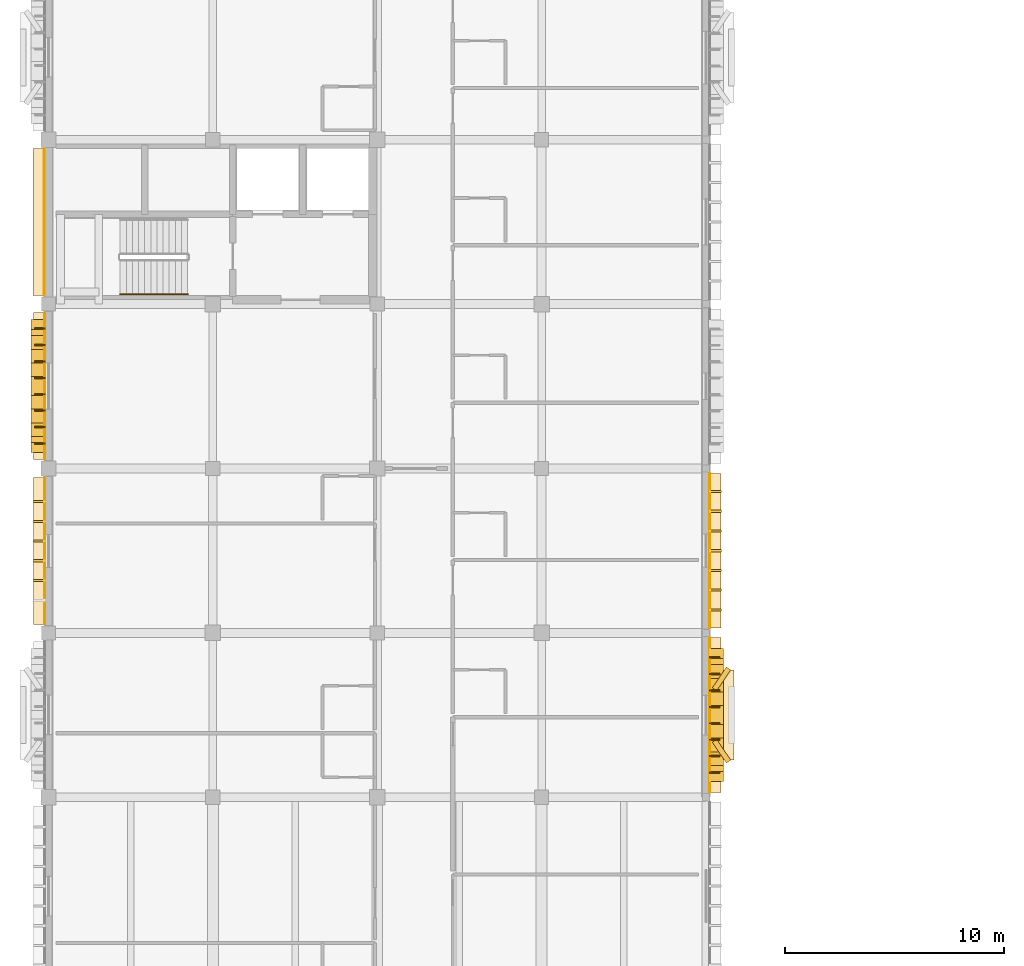
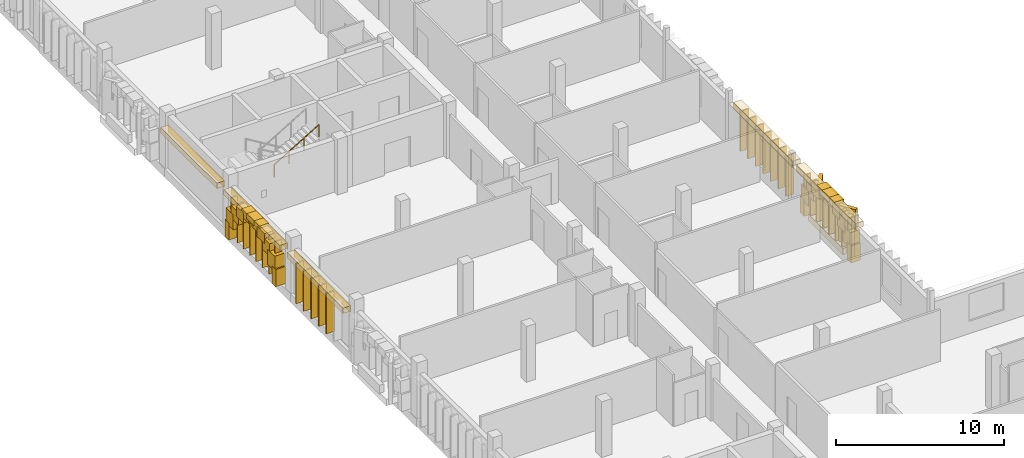
# One storey, part 34 of 48: 47 coverings, 16 shading devices, 1 railing.
"""IFC4 building model written with IfcOpenShell, lengths in metres."""

from ifc_helpers import new_model, si_unit, direction, frame, origin, origin_2d, place, context, subcontext, project, spatial, rectangle, circle, extrude, material, layer, layer_set, type_object, element, save


model = new_model("IFC4")

# Units and contexts
model_context = context("Model", 3, precision=1e-05, world=origin(), true_north=direction((0.0, 1.0)))
body_context = subcontext(model_context, "Body", "Model", "MODEL_VIEW")
ifc_project = project(units=[si_unit("LENGTHUNIT", "METRE"), si_unit("AREAUNIT", "SQUARE_METRE"), si_unit("VOLUMEUNIT", "CUBIC_METRE"), si_unit("PLANEANGLEUNIT", "RADIAN"), si_unit("MASSUNIT", "GRAM", prefix="KILO")], contexts=[model_context])

# Site, building, storey
site_placement = place(None, origin())
site = spatial("IfcSite", under=ifc_project, at=site_placement, CompositionType="ELEMENT")
building_placement = place(site_placement, origin())
building = spatial("IfcBuilding", under=site, at=building_placement, Name="Dalvernix Boulevard General Hospital", CompositionType="ELEMENT")
storey_placement = place(building_placement, frame((0.0, 0.0, 17.85009765625)))
storey = spatial("IfcBuildingStorey", under=building, at=storey_placement, Name="L04", CompositionType="ELEMENT", Elevation=17.85009765625)

# Coverings
ifc_material_1 = material(Name="Pressed Catalan clay brick and dressed limestone parabolic archivolt", Category="masonry")
ifc_layer_1 = layer(ifc_material_1, 0.419921875)
ifc_layer_set_1 = layer_set([ifc_layer_1], Name="Pressed Catalan clay brick and dressed limestone parabolic archivolt (COV-ARC-01)")
covering_type_1 = type_object("IfcCoveringType", Name="COV-ARC-01", PredefinedType="CLADDING", material=ifc_layer_set_1)
for number, where, z_axis, x_axis, name in (
    (1, (-0.4599609375, 47.46240234375, 0.0), (0.0, 0.0, 1.0), (0.0, 1.0, 0.0), "L04 Catalan parabolic arch impost pier W 0-6-L"),
    (2, (-0.4599609375, 53.0625, 0.0), (0.0, 0.0, 1.0), (0.0, 1.0, 0.0), "L04 Catalan parabolic arch impost pier W 0-6-R"),
):
    element("IfcCovering", number, at=place(storey_placement, frame(where, z_axis=z_axis, x_axis=x_axis)), inside=storey, type_object=covering_type_1, Name=name, PredefinedType="CLADDING", context=body_context, shape_type="SweptSolid", body=[
        extrude(rectangle(XDim=0.4599609375, YDim=0.659912109375, at=origin_2d()), origin(), (0.0, 0.0, 1.0), 1.25),
    ])
covering_1_placement = place(storey_placement, frame((-0.4599609375, 47.773681640625, 1.06005859375), z_axis=(0.0, 0.0, 1.0), x_axis=(0.0, 1.0, 0.0)))
element("IfcCovering", 3, at=covering_1_placement, inside=storey, type_object=covering_type_1, Name="L04 Catalan parabolic archivolt voussoir W 0-6-1", PredefinedType="CLADDING", context=body_context, shape_type="SweptSolid", body=[
    extrude(rectangle(XDim=0.8623046875, YDim=0.659912109375, at=origin_2d()), origin(), (0.0, 0.0, 1.0), 1.091064453125),
])
covering_2_placement = place(storey_placement, frame((-0.4599609375, 48.395751953125, 1.77099609375), z_axis=(0.0, 0.0, 1.0), x_axis=(0.0, 1.0, 0.0)))
element("IfcCovering", 4, at=covering_2_placement, inside=storey, type_object=covering_type_1, Name="L04 Catalan parabolic archivolt voussoir W 0-6-2", PredefinedType="CLADDING", context=body_context, shape_type="SweptSolid", body=[
    extrude(rectangle(XDim=0.8623046875, YDim=0.659912109375, at=origin_2d()), origin(), (0.0, 0.0, 1.0), 0.913330078125),
])
covering_3_placement = place(storey_placement, frame((-0.4599609375, 49.01806640625, 2.30419921875), z_axis=(0.0, 0.0, 1.0), x_axis=(0.0, 1.0, 0.0)))
element("IfcCovering", 5, at=covering_3_placement, inside=storey, type_object=covering_type_1, Name="L04 Catalan parabolic archivolt voussoir W 0-6-3", PredefinedType="CLADDING", context=body_context, shape_type="SweptSolid", body=[
    extrude(rectangle(XDim=0.8623046875, YDim=0.659912109375, at=origin_2d()), origin(), (0.0, 0.0, 1.0), 0.735595703125),
])
covering_4_placement = place(storey_placement, frame((-0.4599609375, 49.640380859375, 2.65966796875), z_axis=(0.0, 0.0, 1.0), x_axis=(0.0, 1.0, 0.0)))
element("IfcCovering", 6, at=covering_4_placement, inside=storey, type_object=covering_type_1, Name="L04 Catalan parabolic archivolt voussoir W 0-6-4", PredefinedType="CLADDING", context=body_context, shape_type="SweptSolid", body=[
    extrude(rectangle(XDim=0.8623046875, YDim=0.659912109375, at=origin_2d()), origin(), (0.0, 0.0, 1.0), 0.557861328125),
])
covering_5_placement = place(storey_placement, frame((-0.4599609375, 50.262451171875, 2.837646484375), z_axis=(0.0, 0.0, 1.0), x_axis=(0.0, 1.0, 0.0)))
element("IfcCovering", 7, at=covering_5_placement, inside=storey, type_object=covering_type_1, Name="L04 Catalan parabolic archivolt voussoir W 0-6-5", PredefinedType="CLADDING", context=body_context, shape_type="SweptSolid", body=[
    extrude(rectangle(XDim=0.8623046875, YDim=0.659912109375, at=origin_2d()), origin(), (0.0, 0.0, 1.0), 0.3798828125),
])
covering_6_placement = place(storey_placement, frame((-0.4599609375, 50.884765625, 2.65966796875), z_axis=(0.0, 0.0, 1.0), x_axis=(0.0, 1.0, 0.0)))
element("IfcCovering", 8, at=covering_6_placement, inside=storey, type_object=covering_type_1, Name="L04 Catalan parabolic archivolt voussoir W 0-6-6", PredefinedType="CLADDING", context=body_context, shape_type="SweptSolid", body=[
    extrude(rectangle(XDim=0.8623046875, YDim=0.659912109375, at=origin_2d()), origin(), (0.0, 0.0, 1.0), 0.557861328125),
])
covering_7_placement = place(storey_placement, frame((-0.4599609375, 51.5068359375, 2.30419921875), z_axis=(0.0, 0.0, 1.0), x_axis=(0.0, 1.0, 0.0)))
element("IfcCovering", 9, at=covering_7_placement, inside=storey, type_object=covering_type_1, Name="L04 Catalan parabolic archivolt voussoir W 0-6-7", PredefinedType="CLADDING", context=body_context, shape_type="SweptSolid", body=[
    extrude(rectangle(XDim=0.8623046875, YDim=0.659912109375, at=origin_2d()), origin(), (0.0, 0.0, 1.0), 0.735595703125),
])
covering_8_placement = place(storey_placement, frame((-0.4599609375, 52.129150390625, 1.77099609375), z_axis=(0.0, 0.0, 1.0), x_axis=(0.0, 1.0, 0.0)))
element("IfcCovering", 10, at=covering_8_placement, inside=storey, type_object=covering_type_1, Name="L04 Catalan parabolic archivolt voussoir W 0-6-8", PredefinedType="CLADDING", context=body_context, shape_type="SweptSolid", body=[
    extrude(rectangle(XDim=0.8623046875, YDim=0.659912109375, at=origin_2d()), origin(), (0.0, 0.0, 1.0), 0.913330078125),
])
covering_9_placement = place(storey_placement, frame((-0.4599609375, 52.75146484375, 1.06005859375), z_axis=(0.0, 0.0, 1.0), x_axis=(0.0, 1.0, 0.0)))
element("IfcCovering", 11, at=covering_9_placement, inside=storey, type_object=covering_type_1, Name="L04 Catalan parabolic archivolt voussoir W 0-6-9", PredefinedType="CLADDING", context=body_context, shape_type="SweptSolid", body=[
    extrude(rectangle(XDim=0.8623046875, YDim=0.659912109375, at=origin_2d()), origin(), (0.0, 0.0, 1.0), 1.091064453125),
])
for number, where, z_axis, x_axis, name in (
    (12, (30.4599609375, 38.050048828125, 0.0), (0.0, 0.0, 1.0), (0.0, -1.0, 0.0), "L04 Catalan parabolic arch impost pier E 4-4-L"),
    (13, (30.4599609375, 32.449951171875, 0.0), (0.0, 0.0, 1.0), (0.0, -1.0, 0.0), "L04 Catalan parabolic arch impost pier E 4-4-R"),
):
    element("IfcCovering", number, at=place(storey_placement, frame(where, z_axis=z_axis, x_axis=x_axis)), inside=storey, type_object=covering_type_1, Name=name, PredefinedType="CLADDING", context=body_context, shape_type="SweptSolid", body=[
        extrude(rectangle(XDim=0.4599609375, YDim=0.659912109375, at=origin_2d()), origin(), (0.0, 0.0, 1.0), 1.25),
    ])
covering_10_placement = place(storey_placement, frame((30.4599609375, 37.739013671875, 1.06005859375), z_axis=(0.0, 0.0, 1.0), x_axis=(0.0, -1.0, 0.0)))
element("IfcCovering", 14, at=covering_10_placement, inside=storey, type_object=covering_type_1, Name="L04 Catalan parabolic archivolt voussoir E 4-4-1", PredefinedType="CLADDING", context=body_context, shape_type="SweptSolid", body=[
    extrude(rectangle(XDim=0.8623046875, YDim=0.659912109375, at=origin_2d()), origin(), (0.0, 0.0, 1.0), 1.091064453125),
])
covering_11_placement = place(storey_placement, frame((30.4599609375, 37.11669921875, 1.77099609375), z_axis=(0.0, 0.0, 1.0), x_axis=(0.0, -1.0, 0.0)))
element("IfcCovering", 15, at=covering_11_placement, inside=storey, type_object=covering_type_1, Name="L04 Catalan parabolic archivolt voussoir E 4-4-2", PredefinedType="CLADDING", context=body_context, shape_type="SweptSolid", body=[
    extrude(rectangle(XDim=0.8623046875, YDim=0.659912109375, at=origin_2d()), origin(), (0.0, 0.0, 1.0), 0.913330078125),
])
covering_12_placement = place(storey_placement, frame((30.4599609375, 36.494384765625, 2.30419921875), z_axis=(0.0, 0.0, 1.0), x_axis=(0.0, -1.0, 0.0)))
element("IfcCovering", 16, at=covering_12_placement, inside=storey, type_object=covering_type_1, Name="L04 Catalan parabolic archivolt voussoir E 4-4-3", PredefinedType="CLADDING", context=body_context, shape_type="SweptSolid", body=[
    extrude(rectangle(XDim=0.8623046875, YDim=0.659912109375, at=origin_2d()), origin(), (0.0, 0.0, 1.0), 0.735595703125),
])
covering_13_placement = place(storey_placement, frame((30.4599609375, 35.872314453125, 2.65966796875), z_axis=(0.0, 0.0, 1.0), x_axis=(0.0, -1.0, 0.0)))
element("IfcCovering", 17, at=covering_13_placement, inside=storey, type_object=covering_type_1, Name="L04 Catalan parabolic archivolt voussoir E 4-4-4", PredefinedType="CLADDING", context=body_context, shape_type="SweptSolid", body=[
    extrude(rectangle(XDim=0.8623046875, YDim=0.659912109375, at=origin_2d()), origin(), (0.0, 0.0, 1.0), 0.557861328125),
])
covering_14_placement = place(storey_placement, frame((30.4599609375, 35.25, 2.837646484375), z_axis=(0.0, 0.0, 1.0), x_axis=(0.0, -1.0, 0.0)))
element("IfcCovering", 18, at=covering_14_placement, inside=storey, type_object=covering_type_1, Name="L04 Catalan parabolic archivolt voussoir E 4-4-5", PredefinedType="CLADDING", context=body_context, shape_type="SweptSolid", body=[
    extrude(rectangle(XDim=0.8623046875, YDim=0.659912109375, at=origin_2d()), origin(), (0.0, 0.0, 1.0), 0.3798828125),
])
covering_15_placement = place(storey_placement, frame((30.4599609375, 34.627685546875, 2.65966796875), z_axis=(0.0, 0.0, 1.0), x_axis=(0.0, -1.0, 0.0)))
element("IfcCovering", 19, at=covering_15_placement, inside=storey, type_object=covering_type_1, Name="L04 Catalan parabolic archivolt voussoir E 4-4-6", PredefinedType="CLADDING", context=body_context, shape_type="SweptSolid", body=[
    extrude(rectangle(XDim=0.8623046875, YDim=0.659912109375, at=origin_2d()), origin(), (0.0, 0.0, 1.0), 0.557861328125),
])
covering_16_placement = place(storey_placement, frame((30.4599609375, 34.005615234375, 2.30419921875), z_axis=(0.0, 0.0, 1.0), x_axis=(0.0, -1.0, 0.0)))
element("IfcCovering", 20, at=covering_16_placement, inside=storey, type_object=covering_type_1, Name="L04 Catalan parabolic archivolt voussoir E 4-4-7", PredefinedType="CLADDING", context=body_context, shape_type="SweptSolid", body=[
    extrude(rectangle(XDim=0.8623046875, YDim=0.659912109375, at=origin_2d()), origin(), (0.0, 0.0, 1.0), 0.735595703125),
])
covering_17_placement = place(storey_placement, frame((30.4599609375, 33.38330078125, 1.77099609375), z_axis=(0.0, 0.0, 1.0), x_axis=(0.0, -1.0, 0.0)))
element("IfcCovering", 21, at=covering_17_placement, inside=storey, type_object=covering_type_1, Name="L04 Catalan parabolic archivolt voussoir E 4-4-8", PredefinedType="CLADDING", context=body_context, shape_type="SweptSolid", body=[
    extrude(rectangle(XDim=0.8623046875, YDim=0.659912109375, at=origin_2d()), origin(), (0.0, 0.0, 1.0), 0.913330078125),
])
covering_18_placement = place(storey_placement, frame((30.4599609375, 32.760986328125, 1.06005859375), z_axis=(0.0, 0.0, 1.0), x_axis=(0.0, -1.0, 0.0)))
element("IfcCovering", 22, at=covering_18_placement, inside=storey, type_object=covering_type_1, Name="L04 Catalan parabolic archivolt voussoir E 4-4-9", PredefinedType="CLADDING", context=body_context, shape_type="SweptSolid", body=[
    extrude(rectangle(XDim=0.8623046875, YDim=0.659912109375, at=origin_2d()), origin(), (0.0, 0.0, 1.0), 1.091064453125),
])
ifc_material_2 = material(Name="Polychrome glazed Catalan trencadis ceramic faceted bay spandrel")
ifc_layer_2 = layer(ifc_material_2, 0.280029296875)
ifc_layer_set_2 = layer_set([ifc_layer_2], Name="Polychrome glazed Catalan trencadis ceramic faceted bay spandrel (COV-BAY-01)")
covering_type_2 = type_object("IfcCoveringType", Name="COV-BAY-01", PredefinedType="CLADDING", material=ifc_layer_set_2)
for number, where, z_axis, x_axis, name in (
    (23, (30.7099609375, 36.89990234375, 0.080078125), (0.0, 0.0, 1.0), (-0.559192903471, -0.829037572555, 0.0), "L04 projecting faceted Catalan bay cheek E 4-4-L"),
    (24, (30.7099609375, 33.60009765625, 0.080078125), (0.0, 0.0, 1.0), (0.559192903471, -0.829037572555, 0.0), "L04 projecting faceted Catalan bay cheek E 4-4-R"),
):
    element("IfcCovering", number, at=place(storey_placement, frame(where, z_axis=z_axis, x_axis=x_axis)), inside=storey, type_object=covering_type_2, Name=name, PredefinedType="CLADDING", context=body_context, shape_type="SweptSolid", body=[
        extrude(rectangle(XDim=1.14990234375, YDim=0.239990234375, at=origin_2d()), origin(), (0.0, 0.0, 1.0), 3.010009765625),
    ])
ifc_material_3 = material(Name="Polychrome Catalan glazed ceramic spandrel tile panel")
ifc_layer_3 = layer(ifc_material_3, 0.044921875)
ifc_layer_set_3 = layer_set([ifc_layer_3], Name="Polychrome Catalan glazed ceramic spandrel tile panel (COV-CLD-01)")
covering_type_3 = type_object("IfcCoveringType", Name="COV-CLD-01", PredefinedType="CLADDING", material=ifc_layer_set_3)
for number, where, z_axis, x_axis, name in (
    (25, (-0.169921875, 42.737548828125, 2.69482421875), (0.0, 0.0, 1.0), (0.0, 1.0, 0.0), "L04 polychrome ceramic spandrel W 0-5"),
    (26, (-0.169921875, 50.262451171875, 2.69482421875), (0.0, 0.0, 1.0), (0.0, 1.0, 0.0), "L04 polychrome ceramic spandrel W 0-6"),
    (27, (-0.195068359375, 57.737548828125, 2.69482421875), (0.0, 0.0, 1.0), (0.0, 1.0, 0.0), "L04 polychrome ceramic spandrel W 0-7"),
):
    element("IfcCovering", number, at=place(storey_placement, frame(where, z_axis=z_axis, x_axis=x_axis)), inside=storey, type_object=covering_type_3, Name=name, PredefinedType="CLADDING", context=body_context, shape_type="SweptSolid", body=[
        extrude(rectangle(XDim=6.705078125, YDim=0.044921875, at=origin_2d()), origin(), (0.0, 0.0, 1.0), 0.449951171875),
    ])
for number, where, z_axis, x_axis, name in (
    (28, (30.169921875, 35.25, 2.69482421875), (0.0, 0.0, 1.0), (0.0, -1.0, 0.0), "L04 polychrome ceramic spandrel E 4-4"),
    (29, (30.169921875, 42.75, 2.69482421875), (0.0, 0.0, 1.0), (0.0, -1.0, 0.0), "L04 polychrome ceramic spandrel E 4-5"),
):
    element("IfcCovering", number, at=place(storey_placement, frame(where, z_axis=z_axis, x_axis=x_axis)), inside=storey, type_object=covering_type_3, Name=name, PredefinedType="CLADDING", context=body_context, shape_type="SweptSolid", body=[
        extrude(rectangle(XDim=7.06005859375, YDim=0.044921875, at=origin_2d()), origin(), (0.0, 0.0, 1.0), 0.449951171875),
    ])
ifc_material_4 = material(Name="Dressed ochre limestone classical plinth, stringcourse and corbelled cornice", Category="masonry")
ifc_layer_4 = layer(ifc_material_4, 0.449951171875)
ifc_layer_set_4 = layer_set([ifc_layer_4], Name="Dressed ochre limestone classical plinth, stringcourse and corbelled cornice (COV-CRN-01)")
covering_type_4 = type_object("IfcCoveringType", Name="COV-CRN-01", PredefinedType="CLADDING", material=ifc_layer_set_4)
for number, where, z_axis, x_axis, name in (
    (30, (-0.409912109375, 42.737548828125, 2.77001953125), (0.0, 0.0, 1.0), (0.0, 1.0, 0.0), "L04 classical corbelled cornice frieze W 0-5"),
    (31, (-0.409912109375, 50.262451171875, 2.77001953125), (0.0, 0.0, 1.0), (0.0, 1.0, 0.0), "L04 classical corbelled cornice frieze W 0-6"),
    (32, (-0.43505859375, 57.737548828125, 2.77001953125), (0.0, 0.0, 1.0), (0.0, 1.0, 0.0), "L04 classical corbelled cornice frieze W 0-7"),
):
    element("IfcCovering", number, at=place(storey_placement, frame(where, z_axis=z_axis, x_axis=x_axis)), inside=storey, type_object=covering_type_4, Name=name, PredefinedType="CLADDING", context=body_context, shape_type="SweptSolid", body=[
        extrude(rectangle(XDim=6.705078125, YDim=0.56005859375, at=origin_2d()), origin(), (0.0, 0.0, 1.0), 0.39990234375),
    ])
covering_19_placement = place(storey_placement, frame((30.409912109375, 35.25, 2.77001953125), z_axis=(0.0, 0.0, 1.0), x_axis=(0.0, -1.0, 0.0)))
element("IfcCovering", 33, at=covering_19_placement, inside=storey, type_object=covering_type_4, Name="L04 classical corbelled cornice frieze E 4-4", PredefinedType="CLADDING", context=body_context, shape_type="SweptSolid", body=[
    extrude(rectangle(XDim=7.06005859375, YDim=0.56005859375, at=origin_2d()), origin(), (0.0, 0.0, 1.0), 0.39990234375),
])
covering_20_placement = place(storey_placement, frame((30.705078125, 35.25, 0.0), z_axis=(0.0, 0.0, 1.0), x_axis=(0.0, -1.0, 0.0)))
element("IfcCovering", 34, at=covering_20_placement, inside=storey, type_object=covering_type_4, Name="L04 projecting Catalan bay corbel base E 4-4", PredefinedType="CLADDING", context=body_context, shape_type="SweptSolid", body=[
    extrude(rectangle(XDim=4.10009765625, YDim=1.14990234375, at=origin_2d()), origin(), (0.0, 0.0, 1.0), 0.47998046875),
])
covering_21_placement = place(storey_placement, frame((30.409912109375, 42.75, 2.77001953125), z_axis=(0.0, 0.0, 1.0), x_axis=(0.0, -1.0, 0.0)))
element("IfcCovering", 35, at=covering_21_placement, inside=storey, type_object=covering_type_4, Name="L04 classical corbelled cornice frieze E 4-5", PredefinedType="CLADDING", context=body_context, shape_type="SweptSolid", body=[
    extrude(rectangle(XDim=7.06005859375, YDim=0.56005859375, at=origin_2d()), origin(), (0.0, 0.0, 1.0), 0.39990234375),
])
ifc_material_5 = material(Name="Terracotta-clad iroko timber brise-soleil sun-breaker fin", Category="masonry")
ifc_layer_5 = layer(ifc_material_5, 0.10009765625)
ifc_layer_set_5 = layer_set([ifc_layer_5], Name="Terracotta-clad iroko timber brise-soleil sun-breaker fin (COV-FIN-02)")
covering_type_5 = type_object("IfcCoveringType", Name="COV-FIN-02", PredefinedType="CLADDING", material=ifc_layer_set_5)
for number, where, z_axis, x_axis, name in (
    (36, (-0.419921875, 41.387451171875, 0.1201171875), (0.0, 0.0, 1.0), (0.0, 1.0, 0.0), "L04 terracotta brise-soleil fin W 0-5-2"),
    (37, (-0.419921875, 42.28759765625, 0.1201171875), (0.0, 0.0, 1.0), (0.0, 1.0, 0.0), "L04 terracotta brise-soleil fin W 0-5-3"),
    (38, (-0.419921875, 43.1875, 0.1201171875), (0.0, 0.0, 1.0), (0.0, 1.0, 0.0), "L04 terracotta brise-soleil fin W 0-5-4"),
    (39, (-0.419921875, 44.08740234375, 0.1201171875), (0.0, 0.0, 1.0), (0.0, 1.0, 0.0), "L04 terracotta brise-soleil fin W 0-5-5"),
    (40, (-0.419921875, 44.987548828125, 0.1201171875), (0.0, 0.0, 1.0), (0.0, 1.0, 0.0), "L04 terracotta brise-soleil fin W 0-5-6"),
    (41, (30.419921875, 45.449951171875, 0.1201171875), (0.0, 0.0, 1.0), (0.0, -1.0, 0.0), "L04 terracotta brise-soleil fin E 4-5-1"),
    (42, (30.419921875, 44.550048828125, 0.1201171875), (0.0, 0.0, 1.0), (0.0, -1.0, 0.0), "L04 terracotta brise-soleil fin E 4-5-2"),
    (43, (30.419921875, 43.64990234375, 0.1201171875), (0.0, 0.0, 1.0), (0.0, -1.0, 0.0), "L04 terracotta brise-soleil fin E 4-5-3"),
    (44, (30.419921875, 42.75, 0.1201171875), (0.0, 0.0, 1.0), (0.0, -1.0, 0.0), "L04 terracotta brise-soleil fin E 4-5-4"),
    (45, (30.419921875, 41.85009765625, 0.1201171875), (0.0, 0.0, 1.0), (0.0, -1.0, 0.0), "L04 terracotta brise-soleil fin E 4-5-5"),
    (46, (30.419921875, 40.949951171875, 0.1201171875), (0.0, 0.0, 1.0), (0.0, -1.0, 0.0), "L04 terracotta brise-soleil fin E 4-5-6"),
    (47, (30.419921875, 40.050048828125, 0.1201171875), (0.0, 0.0, 1.0), (0.0, -1.0, 0.0), "L04 terracotta brise-soleil fin E 4-5-7"),
):
    element("IfcCovering", number, at=place(storey_placement, frame(where, z_axis=z_axis, x_axis=x_axis)), inside=storey, type_object=covering_type_5, Name=name, PredefinedType="CLADDING", context=body_context, shape_type="SweptSolid", body=[
        extrude(rectangle(XDim=0.10009765625, YDim=0.580078125, at=origin_2d()), origin(), (0.0, 0.0, 1.0), 2.929931640625),
    ])

# Railing
ifc_material_6 = material(Name="Brushed stainless steel wall handrail", Category="steel")
railing_type = type_object("IfcRailingType", Name="RL-HR-INT1", PredefinedType="HANDRAIL", material=ifc_material_6)
railing_placement = place(storey_placement, frame((3.27001953125, 54.449951171875, 2.193603515625)))
element("IfcRailing", 48, at=railing_placement, inside=storey, type_object=railing_type, Name="L04 ST-02 stair handrail 2", PredefinedType="HANDRAIL", context=body_context, shape_type="SweptSolid", body=[
    extrude(circle(Radius=0.02392578125, at=origin_2d()), frame((0.0, 0.0, 0.8759765625), z_axis=(0.856490936558, 0.0, 0.516162063304), x_axis=(0.0, 1.0, 0.0)), (0.0, 0.0, 1.0), 3.59619140625),
    extrude(circle(Radius=0.02099609375, at=origin_2d()), origin(), (0.0, 0.0, 1.0), 0.851806640625),
    extrude(circle(Radius=0.02099609375, at=origin_2d()), frame((1.026611328125, 0.0, 0.61865234375)), (0.0, 0.0, 1.0), 0.851806640625),
    extrude(circle(Radius=0.02099609375, at=origin_2d()), frame((2.053466796875, 0.0, 1.237548828125)), (0.0, 0.0, 1.0), 0.851806640625),
    extrude(circle(Radius=0.02099609375, at=origin_2d()), frame((3.080078125, 0.0, 1.856201171875)), (0.0, 0.0, 1.0), 0.851806640625),
])

# Shading devices
ifc_material_7 = material(Name="Preservative-treated West African iroko timber", Category="wood")
shading_device_type = type_object("IfcShadingDeviceType", Name="SHD-FIN-01", PredefinedType="USERDEFINED", material=ifc_material_7)
for number, where, z_axis, x_axis, name in (
    (49, (-0.3798828125, 47.637451171875, 0.1748046875), (0.0, 0.0, 1.0), (0.0, 1.0, 0.0), "L04 iroko brise-soleil fin 1"),
    (50, (-0.3798828125, 48.387451171875, 0.1748046875), (0.0, 0.0, 1.0), (0.0, 1.0, 0.0), "L04 iroko brise-soleil fin 2"),
    (51, (-0.3798828125, 49.137451171875, 0.1748046875), (0.0, 0.0, 1.0), (0.0, 1.0, 0.0), "L04 iroko brise-soleil fin 3"),
    (52, (-0.3798828125, 49.887451171875, 0.1748046875), (0.0, 0.0, 1.0), (0.0, 1.0, 0.0), "L04 iroko brise-soleil fin 4"),
    (53, (-0.3798828125, 50.637451171875, 0.1748046875), (0.0, 0.0, 1.0), (0.0, 1.0, 0.0), "L04 iroko brise-soleil fin 5"),
    (54, (-0.3798828125, 51.387451171875, 0.1748046875), (0.0, 0.0, 1.0), (0.0, 1.0, 0.0), "L04 iroko brise-soleil fin 6"),
    (55, (-0.3798828125, 52.137451171875, 0.1748046875), (0.0, 0.0, 1.0), (0.0, 1.0, 0.0), "L04 iroko brise-soleil fin 7"),
    (56, (-0.3798828125, 52.887451171875, 0.1748046875), (0.0, 0.0, 1.0), (0.0, 1.0, 0.0), "L04 iroko brise-soleil fin 8"),
    (57, (30.3798828125, 37.875, 0.1748046875), (0.0, 0.0, 1.0), (0.0, -1.0, 0.0), "L04 iroko brise-soleil fin 1"),
    (58, (30.3798828125, 37.125, 0.1748046875), (0.0, 0.0, 1.0), (0.0, -1.0, 0.0), "L04 iroko brise-soleil fin 2"),
    (59, (30.3798828125, 36.375, 0.1748046875), (0.0, 0.0, 1.0), (0.0, -1.0, 0.0), "L04 iroko brise-soleil fin 3"),
    (60, (30.3798828125, 35.625, 0.1748046875), (0.0, 0.0, 1.0), (0.0, -1.0, 0.0), "L04 iroko brise-soleil fin 4"),
    (61, (30.3798828125, 34.875, 0.1748046875), (0.0, 0.0, 1.0), (0.0, -1.0, 0.0), "L04 iroko brise-soleil fin 5"),
    (62, (30.3798828125, 34.125, 0.1748046875), (0.0, 0.0, 1.0), (0.0, -1.0, 0.0), "L04 iroko brise-soleil fin 6"),
    (63, (30.3798828125, 33.375, 0.1748046875), (0.0, 0.0, 1.0), (0.0, -1.0, 0.0), "L04 iroko brise-soleil fin 7"),
    (64, (30.3798828125, 32.625, 0.1748046875), (0.0, 0.0, 1.0), (0.0, -1.0, 0.0), "L04 iroko brise-soleil fin 8"),
):
    element("IfcShadingDevice", number, at=place(storey_placement, frame(where, z_axis=z_axis, x_axis=x_axis)), inside=storey, type_object=shading_device_type, Name=name, ObjectType="FIN", PredefinedType="USERDEFINED", context=body_context, shape_type="SweptSolid", body=[
        extrude(rectangle(XDim=0.06494140625, YDim=0.47998046875, at=origin_2d()), origin(), (0.0, 0.0, 1.0), 2.820068359375),
    ])

save(model, "model.ifc")
